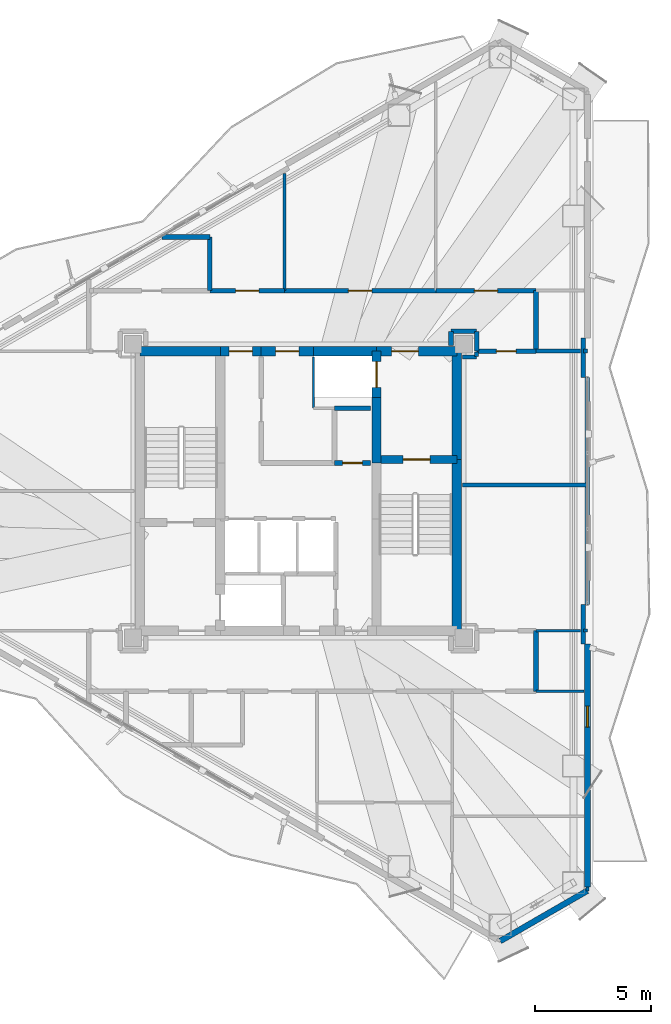
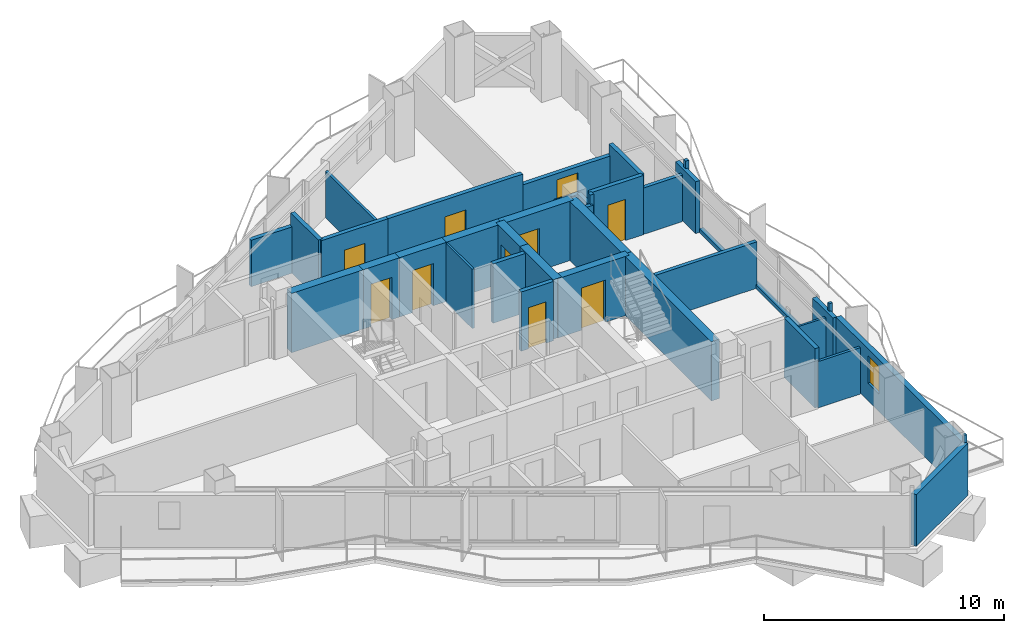
# One storey, part 19 of 22: 39 walls, 10 doors, 1 window, 11 openings.
"""IFC4 building model written with IfcOpenShell, lengths in metres."""

from ifc_helpers import new_model, si_unit, direction, frame, frame_2d, origin, place, context, subcontext, project, spatial, rectangle, extrude, material, layer, layer_set, type_object, element, fill, save


model = new_model("IFC4")

# Units and contexts
model_context = context("Model", 3, precision=1e-05, world=origin(), true_north=direction((0.0, 1.0)))
body_context = subcontext(model_context, "Body", "Model", "MODEL_VIEW")
ifc_project = project(units=[si_unit("LENGTHUNIT", "METRE"), si_unit("AREAUNIT", "SQUARE_METRE"), si_unit("VOLUMEUNIT", "CUBIC_METRE"), si_unit("PLANEANGLEUNIT", "RADIAN"), si_unit("MASSUNIT", "GRAM", prefix="KILO")], contexts=[model_context])

# Site, building, storey
site_placement = place(None, origin())
site = spatial("IfcSite", under=ifc_project, at=site_placement, CompositionType="ELEMENT")
building_placement = place(site_placement, origin())
building = spatial("IfcBuilding", under=site, at=building_placement, Name="Mersakhor Tower and Convention Hall", CompositionType="ELEMENT")
storey_placement = place(building_placement, frame((0.0, 0.0, 167.39990234375)))
storey = spatial("IfcBuildingStorey", under=building, at=storey_placement, Name="L46", CompositionType="ELEMENT", Elevation=167.39990234375)

# Wall
ifc_material_1 = material(Name="Precast concrete C40/50", Category="concrete")
ifc_layer_1 = layer(ifc_material_1, 0.25)
ifc_layer_set_1 = layer_set([ifc_layer_1], Name="Precast concrete C40/50")
wall_type_1 = type_object("IfcWallType", Name="WL-EXT-250", PredefinedType="SOLIDWALL", material=ifc_layer_set_1)
wall_1_placement = place(storey_placement, frame((41.40380859375, 9.586181640625, 0.0), z_axis=(0.0, 0.0, 1.0), x_axis=(-0.866047252008, -0.499962155857, 0.0)))
element("IfcWall", 1, at=wall_1_placement, inside=storey, type_object=wall_type_1, Name="L46 Chamfer Braced Spandrel Wall C2", PredefinedType="SOLIDWALL", context=body_context, shape_type="SweptSolid", body=[
    extrude(rectangle(XDim=4.320068359375, YDim=0.25, at=frame_2d((2.16015625, 0.0))), origin(), (0.0, 0.0, 1.0), 2.64013671875),
])

# Wall, opening, window
wall_2_placement = place(storey_placement, frame((41.40380859375, 20.1787109375, 0.0), z_axis=(0.0, 0.0, 1.0), x_axis=(0.0, -1.0, 0.0)))
wall_2 = element("IfcWall", 2, at=wall_2_placement, inside=storey, type_object=wall_type_1, Name="L46 Exterior Facade Wall F2-B3", PredefinedType="SOLIDWALL", context=body_context, shape_type="SweptSolid", body=[
    extrude(rectangle(XDim=10.4423828125, YDim=0.25, at=frame_2d((5.22119140625, 0.0))), origin(), (0.0, 0.0, 1.0), 2.64013671875),
])
opening_1_placement = place(wall_2_placement, frame((2.672119140625, 0.0, 0.89990234375)))
opening_1 = element("IfcOpeningElement", 3, at=opening_1_placement, cuts=wall_2, Name="Opening W-06", PredefinedType="OPENING", context=body_context, shape_type="SweptSolid", body=[
    extrude(rectangle(XDim=0.89990234375, YDim=1.39990234375, at=frame_2d((0.449951171875, 0.699951171875))), frame((0.0, 0.135009765625, 0.0), z_axis=(0.0, -1.0, 0.0), x_axis=(1.0, 0.0, 0.0)), (0.0, 0.0, 1.0), 0.27001953125),
])
ifc_material_2 = material(Name="Dark solar low-E glazed aluminium window", Category="aluminium")
window_type = type_object("IfcWindowType", Name="WN-STD-090x140", PartitioningType="SINGLE_PANEL", PredefinedType="WINDOW", material=ifc_material_2)
window_placement = place(opening_1_placement, origin())
window = element("IfcWindow", 4, at=window_placement, inside=storey, type_object=window_type, Name="L46 Facade Punched Window F2-B3", OverallHeight=1.39990234375, OverallWidth=0.89990234375, PartitioningType="SINGLE_PANEL", PredefinedType="WINDOW", context=body_context, shape_type="SweptSolid", body=[
    extrude(rectangle(XDim=0.89990234375, YDim=1.39990234375, at=frame_2d((0.449951171875, 0.699951171875))), frame((0.0, 0.030029296875, 0.0), z_axis=(0.0, -1.0, 0.0), x_axis=(1.0, 0.0, 0.0)), (0.0, 0.0, 1.0), 0.06005859375),
])
fill(opening_1, window)

# Walls
ifc_material_3 = material(Name="Precast concrete C40/50", Category="concrete")
ifc_layer_2 = layer(ifc_material_3, 0.199951171875)
ifc_layer_set_2 = layer_set([ifc_layer_2], Name="Precast concrete C40/50")
wall_type_2 = type_object("IfcWallType", Name="WL-PAR-200", PredefinedType="PARAPET", material=ifc_layer_set_2)
wall_3_placement = place(storey_placement, frame((41.40380859375, 31.62109375, 0.0), z_axis=(0.0, 0.0, 1.0), x_axis=(0.0, -1.0, 0.0)))
element("IfcWall", 5, at=wall_3_placement, inside=storey, type_object=wall_type_2, Name="L46 Curtain Wall Upstand Sill F2-B2", PredefinedType="PARAPET", context=body_context, shape_type="SweptSolid", body=[
    extrude(rectangle(XDim=9.7421875, YDim=0.199951171875, at=frame_2d((4.87109375, 0.0))), origin(), (0.0, 0.0, 1.0), 0.2001953125),
])
for number, where, z_axis, x_axis, name in (
    (6, (41.223876953125, 33.3212890625, 0.0), (0.0, 0.0, 1.0), (0.0, -1.0, 0.0), "L46 Column Pier Cladding Wall F2-C1"),
    (7, (41.223876953125, 21.87890625, 0.0), (0.0, 0.0, 1.0), (0.0, -1.0, 0.0), "L46 Column Pier Cladding Wall F2-C2"),
):
    element("IfcWall", number, at=place(storey_placement, frame(where, z_axis=z_axis, x_axis=x_axis)), inside=storey, type_object=wall_type_2, Name=name, PredefinedType="PARAPET", context=body_context, shape_type="SweptSolid", body=[
        extrude(rectangle(XDim=1.7001953125, YDim=0.199951171875, at=frame_2d((0.85009765625, 0.0))), origin(), (0.0, 0.0, 1.0), 2.64013671875),
    ])
ifc_material_4 = material(Name="Moisture-resistant acoustic drywall studwork", Category="other")
ifc_layer_3 = layer(ifc_material_4, 0.175048828125)
ifc_layer_set_3 = layer_set([ifc_layer_3], Name="Moisture-resistant acoustic drywall studwork")
wall_type_3 = type_object("IfcWallType", Name="WL-PLM-175", PredefinedType="PLUMBINGWALL", material=ifc_layer_set_3)
wall_4_placement = place(storey_placement, frame((36.050048828125, 32.5, 0.0), z_axis=(0.0, 0.0, 1.0), x_axis=(1.0, 0.0, 0.0)))
element("IfcWall", 8, at=wall_4_placement, inside=storey, type_object=wall_type_3, Name="L46 Interior Partition Wall P-047", PredefinedType="PLUMBINGWALL", context=body_context, shape_type="SweptSolid", body=[
    extrude(rectangle(XDim=0.599853515625, YDim=0.175048828125, at=frame_2d((0.2998046875, 0.0))), origin(), (0.0, 0.0, 1.0), 2.545166015625),
])
wall_5_placement = place(storey_placement, frame((36.64990234375, 32.514892578125, 0.0), z_axis=(0.0, 0.0, 1.0), x_axis=(0.0, 1.0, 0.0)))
element("IfcWall", 9, at=wall_5_placement, inside=storey, type_object=wall_type_3, Name="L46 Interior Partition Wall P-048", PredefinedType="PLUMBINGWALL", context=body_context, shape_type="SweptSolid", body=[
    extrude(rectangle(XDim=0.205078125, YDim=0.175048828125, at=frame_2d((0.1025390625, 0.0))), origin(), (0.0, 0.0, 1.0), 3.02001953125),
])
wall_6_placement = place(storey_placement, frame((39.199951171875, 32.75, 0.0), z_axis=(0.0, 0.0, 1.0), x_axis=(1.0, 0.0, 0.0)))
element("IfcWall", 10, at=wall_6_placement, inside=storey, type_object=wall_type_3, Name="L46 Interior Partition Wall P-049", PredefinedType="PLUMBINGWALL", context=body_context, shape_type="SweptSolid", body=[
    extrude(rectangle(XDim=1.89990234375, YDim=0.175048828125, at=frame_2d((0.949951171875, 0.0))), origin(), (0.0, 0.0, 1.0), 2.364990234375),
])
wall_7_placement = place(storey_placement, frame((41.243896484375, 32.75, 0.0), z_axis=(0.0, 0.0, 1.0), x_axis=(1.0, 0.0, 0.0)))
element("IfcWall", 11, at=wall_7_placement, inside=storey, type_object=wall_type_3, Name="L46 Interior Partition Wall P-050", PredefinedType="PLUMBINGWALL", context=body_context, shape_type="SweptSolid", body=[
    extrude(rectangle(XDim=0.16015625, YDim=0.175048828125, at=frame_2d((0.080078125, 0.0))), origin(), (0.0, 0.0, 1.0), 3.02001953125),
])
wall_8_placement = place(storey_placement, frame((41.36572265625, 27.0, 0.0), z_axis=(0.0, 0.0, 1.0), x_axis=(-1.0, 0.0, 0.0)))
element("IfcWall", 12, at=wall_8_placement, inside=storey, type_object=wall_type_3, Name="L46 Interior Partition Wall P-051", PredefinedType="PLUMBINGWALL", context=body_context, shape_type="SweptSolid", body=[
    extrude(rectangle(XDim=5.315673828125, YDim=0.175048828125, at=frame_2d((2.65771484375, 0.0))), origin(), (0.0, 0.0, 1.0), 2.364990234375),
])
ifc_material_5 = material(Name="Lightweight gypsum partition", Category="other")
ifc_layer_4 = layer(ifc_material_5, 0.10009765625)
ifc_layer_set_4 = layer_set([ifc_layer_4], Name="Lightweight gypsum partition")
wall_type_4 = type_object("IfcWallType", Name="WL-PRT-100", PredefinedType="PARTITIONING", material=ifc_layer_set_4)
wall_9_placement = place(storey_placement, frame((29.64990234375, 30.300048828125, 0.0), z_axis=(0.0, 0.0, 1.0), x_axis=(0.0, 1.0, 0.0)))
element("IfcWall", 13, at=wall_9_placement, inside=storey, type_object=wall_type_4, Name="L46 Interior Partition Wall P-006", PredefinedType="PARTITIONING", context=body_context, shape_type="SweptSolid", body=[
    extrude(rectangle(XDim=2.199951171875, YDim=0.10009765625, at=frame_2d((1.10009765625, 0.0))), origin(), (0.0, 0.0, 1.0), 3.02001953125),
])
wall_10_placement = place(storey_placement, frame((41.099853515625, 20.75, 0.0), z_axis=(0.0, 0.0, 1.0), x_axis=(-1.0, 0.0, 0.0)))
element("IfcWall", 14, at=wall_10_placement, inside=storey, type_object=wall_type_4, Name="L46 Interior Partition Wall P-074", PredefinedType="PARTITIONING", context=body_context, shape_type="SweptSolid", body=[
    extrude(rectangle(XDim=1.89990234375, YDim=0.10009765625, at=frame_2d((0.949951171875, 0.0))), origin(), (0.0, 0.0, 1.0), 2.364990234375),
])
ifc_material_6 = material(Name="Gypsum board acoustic partition", Category="other")
ifc_layer_5 = layer(ifc_material_6, 0.125)
ifc_layer_set_5 = layer_set([ifc_layer_5], Name="Gypsum board acoustic partition")
wall_type_5 = type_object("IfcWallType", Name="WL-PRT-125", PredefinedType="PARTITIONING", material=ifc_layer_set_5)
wall_11_placement = place(storey_placement, frame((41.404052734375, 9.736328125, 0.0), z_axis=(0.0, 0.0, 1.0), x_axis=(0.0, -1.0, 0.0)))
element("IfcWall", 15, at=wall_11_placement, inside=storey, type_object=wall_type_5, Name="L46 Interior Partition Wall P-063", PredefinedType="PARTITIONING", context=body_context, shape_type="SweptSolid", body=[
    extrude(rectangle(XDim=0.150390625, YDim=0.125, at=frame_2d((0.0751953125, 0.0))), origin(), (0.0, 0.0, 1.0), 3.02001953125),
])
wall_12_placement = place(storey_placement, frame((39.199951171875, 18.14990234375, 0.0), z_axis=(0.0, 0.0, 1.0), x_axis=(1.0, 0.0, 0.0)))
element("IfcWall", 16, at=wall_12_placement, inside=storey, type_object=wall_type_5, Name="L46 Interior Partition Wall P-065", PredefinedType="PARTITIONING", context=body_context, shape_type="SweptSolid", body=[
    extrude(rectangle(XDim=2.054931640625, YDim=0.125, at=frame_2d((1.02734375, 0.0))), origin(), (0.0, 0.0, 1.0), 2.364990234375),
])
wall_13_placement = place(storey_placement, frame((41.404052734375, 20.75, 0.0), z_axis=(0.0, 0.0, 1.0), x_axis=(-1.0, 0.0, 0.0)))
element("IfcWall", 17, at=wall_13_placement, inside=storey, type_object=wall_type_5, Name="L46 Interior Partition Wall P-073", PredefinedType="PARTITIONING", context=body_context, shape_type="SweptSolid", body=[
    extrude(rectangle(XDim=0.16015625, YDim=0.125, at=frame_2d((0.080078125, 0.0))), origin(), (0.0, 0.0, 1.0), 3.02001953125),
])
wall_14_placement = place(storey_placement, frame((28.39990234375, 40.375244140625, 0.0), z_axis=(0.0, 0.0, 1.0), x_axis=(0.0, -1.0, 0.0)))
element("IfcWall", 18, at=wall_14_placement, inside=storey, type_object=wall_type_5, Name="L46 Interior Partition Wall P-079", PredefinedType="PARTITIONING", context=body_context, shape_type="SweptSolid", body=[
    extrude(rectangle(XDim=5.025146484375, YDim=0.125, at=frame_2d((2.5126953125, 0.0))), origin(), (0.0, 0.0, 1.0), 2.364990234375),
])
ifc_material_7 = material(Name="Acoustic concrete blockwork and gypsum board", Category="masonry")
ifc_layer_6 = layer(ifc_material_7, 0.199951171875)
ifc_layer_set_6 = layer_set([ifc_layer_6], Name="Acoustic concrete blockwork and gypsum board")
wall_type_6 = type_object("IfcWallType", Name="WL-PRT-200", PredefinedType="PARTITIONING", material=ifc_layer_set_6)
wall_15_placement = place(storey_placement, frame((32.10009765625, 30.300048828125, 0.0), z_axis=(0.0, 0.0, 1.0), x_axis=(-1.0, 0.0, 0.0)))
element("IfcWall", 19, at=wall_15_placement, inside=storey, type_object=wall_type_6, Name="L46 Interior Partition Wall P-004", PredefinedType="PARTITIONING", context=body_context, shape_type="SweptSolid", body=[
    extrude(rectangle(XDim=1.550048828125, YDim=0.199951171875, at=frame_2d((0.77490234375, 0.0))), origin(), (0.0, 0.0, 1.0), 3.02001953125),
])

# Wall, opening, door
wall_16_placement = place(storey_placement, frame((30.550048828125, 27.949951171875, 0.0), z_axis=(0.0, 0.0, 1.0), x_axis=(1.0, 0.0, 0.0)))
wall_16 = element("IfcWall", 20, at=wall_16_placement, inside=storey, type_object=wall_type_6, Name="L46 Interior Partition Wall P-015", PredefinedType="PARTITIONING", context=body_context, shape_type="SweptSolid", body=[
    extrude(rectangle(XDim=1.550048828125, YDim=0.199951171875, at=frame_2d((0.77490234375, 0.0))), origin(), (0.0, 0.0, 1.0), 3.02001953125),
])
opening_2_placement = place(wall_16_placement, frame((0.35009765625, 0.0, 0.0)))
opening_2 = element("IfcOpeningElement", 21, at=opening_2_placement, cuts=wall_16, Name="Opening SVD-01", PredefinedType="OPENING", context=body_context, shape_type="SweptSolid", body=[
    extrude(rectangle(XDim=0.85009765625, YDim=2.10009765625, at=frame_2d((0.425048828125, 1.050048828125))), frame((0.0, 0.10986328125, 0.0), z_axis=(0.0, -1.0, 0.0), x_axis=(1.0, 0.0, 0.0)), (0.0, 0.0, 1.0), 0.219970703125),
])
ifc_material_8 = material(Name="Fire-rated hardwood leaf and painted steel frame", Category="steel")
door_type_1 = type_object("IfcDoorType", Name="DR-INT-SVC-085x210", OperationType="NOTDEFINED", PredefinedType="DOOR", material=ifc_material_8)
door_1_placement = place(opening_2_placement, origin())
door_1 = element("IfcDoor", 22, at=door_1_placement, inside=storey, type_object=door_type_1, Name="L46 Central Passenger Lift Lobby to Housekeeping Linen Store Room Door", OperationType="SINGLE_SWING_LEFT", OverallHeight=2.10009765625, OverallWidth=0.85009765625, PredefinedType="DOOR", context=body_context, shape_type="SweptSolid", body=[
    extrude(rectangle(XDim=0.85009765625, YDim=2.10009765625, at=frame_2d((0.425048828125, 1.050048828125))), frame((0.0, 0.02490234375, 0.0), z_axis=(0.0, -1.0, 0.0), x_axis=(1.0, 0.0, 0.0)), (0.0, 0.0, 1.0), 0.050048828125),
])
fill(opening_2, door_1)

# Wall
wall_17_placement = place(storey_placement, frame((35.550048828125, 33.60009765625, 0.0), z_axis=(0.0, 0.0, 1.0), x_axis=(0.0, -1.0, 0.0)))
element("IfcWall", 23, at=wall_17_placement, inside=storey, type_object=wall_type_6, Name="L46 Interior Partition Wall P-016", PredefinedType="PARTITIONING", context=body_context, shape_type="SweptSolid", body=[
    extrude(rectangle(XDim=0.60009765625, YDim=0.199951171875, at=frame_2d((0.300048828125, 0.0))), origin(), (0.0, 0.0, 1.0), 2.545166015625),
])

# Wall, opening, door
wall_18_placement = place(storey_placement, frame((25.199951171875, 35.35009765625, 0.0), z_axis=(0.0, 0.0, 1.0), x_axis=(1.0, 0.0, 0.0)))
wall_18 = element("IfcWall", 24, at=wall_18_placement, inside=storey, type_object=wall_type_6, Name="L46 Interior Partition Wall P-024", PredefinedType="PARTITIONING", context=body_context, shape_type="SweptSolid", body=[
    extrude(rectangle(XDim=3.199951171875, YDim=0.199951171875, at=frame_2d((1.60009765625, 0.0))), origin(), (0.0, 0.0, 1.0), 3.02001953125),
])
opening_3_placement = place(wall_18_placement, frame((1.10009765625, 0.0, 0.0)))
opening_3 = element("IfcOpeningElement", 25, at=opening_3_placement, cuts=wall_18, Name="Opening FD-01", PredefinedType="OPENING", context=body_context, shape_type="SweptSolid", body=[
    extrude(rectangle(XDim=1.0, YDim=2.14990234375, at=frame_2d((0.5, 1.074951171875))), frame((0.0, 0.10986328125, 0.0), z_axis=(0.0, -1.0, 0.0), x_axis=(1.0, 0.0, 0.0)), (0.0, 0.0, 1.0), 0.219970703125),
])
ifc_material_9 = material(Name="Fire-rated hardwood leaf and painted steel frame", Category="steel")
door_type_2 = type_object("IfcDoorType", Name="DR-INT-FLT-100x215", OperationType="NOTDEFINED", PredefinedType="DOOR", material=ifc_material_9)
door_2_placement = place(opening_3_placement, origin())
door_2 = element("IfcDoor", 26, at=door_2_placement, inside=storey, type_object=door_type_2, Name="L46 Residential North Gallery Corridor to L46 Floor Shared Tea Pantry 1-2 Door", OperationType="SINGLE_SWING_LEFT", OverallHeight=2.14990234375, OverallWidth=1.0, PredefinedType="DOOR", context=body_context, shape_type="SweptSolid", body=[
    extrude(rectangle(XDim=1.0, YDim=2.14990234375, at=frame_2d((0.5, 1.074951171875))), frame((0.0, 0.02490234375, 0.0), z_axis=(0.0, -1.0, 0.0), x_axis=(1.0, 0.0, 0.0)), (0.0, 0.0, 1.0), 0.050048828125),
])
fill(opening_3, door_2)

wall_19_placement = place(storey_placement, frame((28.39990234375, 35.35009765625, 0.0), z_axis=(0.0, 0.0, 1.0), x_axis=(1.0, 0.0, 0.0)))
wall_19 = element("IfcWall", 27, at=wall_19_placement, inside=storey, type_object=wall_type_6, Name="L46 Interior Partition Wall P-025", PredefinedType="PARTITIONING", context=body_context, shape_type="SweptSolid", body=[
    extrude(rectangle(XDim=6.5, YDim=0.199951171875, at=frame_2d((3.25, 0.0))), origin(), (0.0, 0.0, 1.0), 3.02001953125),
])
opening_4_placement = place(wall_19_placement, frame((2.75, 0.0, 0.0)))
opening_4 = element("IfcOpeningElement", 28, at=opening_4_placement, cuts=wall_19, Name="Opening FD-01", PredefinedType="OPENING", context=body_context, shape_type="SweptSolid", body=[
    extrude(rectangle(XDim=1.0, YDim=2.14990234375, at=frame_2d((0.5, 1.074951171875))), frame((0.0, 0.10986328125, 0.0), z_axis=(0.0, -1.0, 0.0), x_axis=(1.0, 0.0, 0.0)), (0.0, 0.0, 1.0), 0.219970703125),
])
door_3_placement = place(opening_4_placement, origin())
door_3 = element("IfcDoor", 29, at=door_3_placement, inside=storey, type_object=door_type_2, Name="L46 Residential North Gallery Corridor to L46 Floor Residents Study Room 1-3 Door", OperationType="SINGLE_SWING_RIGHT", OverallHeight=2.14990234375, OverallWidth=1.0, PredefinedType="DOOR", context=body_context, shape_type="SweptSolid", body=[
    extrude(rectangle(XDim=1.0, YDim=2.14990234375, at=frame_2d((0.5, 1.074951171875))), frame((0.0, 0.02490234375, 0.0), z_axis=(0.0, -1.0, 0.0), x_axis=(1.0, 0.0, 0.0)), (0.0, 0.0, 1.0), 0.050048828125),
])
fill(opening_4, door_3)

wall_20_placement = place(storey_placement, frame((34.89990234375, 35.35009765625, 0.0), z_axis=(0.0, 0.0, 1.0), x_axis=(1.0, 0.0, 0.0)))
wall_20 = element("IfcWall", 30, at=wall_20_placement, inside=storey, type_object=wall_type_6, Name="L46 Interior Partition Wall P-026", PredefinedType="PARTITIONING", context=body_context, shape_type="SweptSolid", body=[
    extrude(rectangle(XDim=4.300048828125, YDim=0.199951171875, at=frame_2d((2.14990234375, 0.0))), origin(), (0.0, 0.0, 1.0), 2.468505859375),
])
opening_5_placement = place(wall_20_placement, frame((1.64990234375, 0.0, 0.0)))
opening_5 = element("IfcOpeningElement", 31, at=opening_5_placement, cuts=wall_20, Name="Opening FD-01", PredefinedType="OPENING", context=body_context, shape_type="SweptSolid", body=[
    extrude(rectangle(XDim=1.0, YDim=2.14990234375, at=frame_2d((0.5, 1.074951171875))), frame((0.0, 0.10986328125, 0.0), z_axis=(0.0, -1.0, 0.0), x_axis=(1.0, 0.0, 0.0)), (0.0, 0.0, 1.0), 0.219970703125),
])
door_4_placement = place(opening_5_placement, origin())
door_4 = element("IfcDoor", 32, at=door_4_placement, inside=storey, type_object=door_type_2, Name="L46 Residential North Gallery Corridor to L46 Floor Residents Study Room 1-4 Door", OperationType="SINGLE_SWING_LEFT", OverallHeight=2.14990234375, OverallWidth=1.0, PredefinedType="DOOR", context=body_context, shape_type="SweptSolid", body=[
    extrude(rectangle(XDim=1.0, YDim=2.14990234375, at=frame_2d((0.5, 1.074951171875))), frame((0.0, 0.02490234375, 0.0), z_axis=(0.0, -1.0, 0.0), x_axis=(1.0, 0.0, 0.0)), (0.0, 0.0, 1.0), 0.050048828125),
])
fill(opening_5, door_4)

# Wall
wall_21_placement = place(storey_placement, frame((39.199951171875, 35.35009765625, 0.0), z_axis=(0.0, 0.0, 1.0), x_axis=(0.0, -1.0, 0.0)))
element("IfcWall", 33, at=wall_21_placement, inside=storey, type_object=wall_type_6, Name="L46 Interior Partition Wall P-027", PredefinedType="PARTITIONING", context=body_context, shape_type="SweptSolid", body=[
    extrude(rectangle(XDim=2.60009765625, YDim=0.199951171875, at=frame_2d((1.300048828125, 0.0))), origin(), (0.0, 0.0, 1.0), 3.02001953125),
])

# Wall, opening, door
wall_22_placement = place(storey_placement, frame((39.199951171875, 32.75, 0.0), z_axis=(0.0, 0.0, 1.0), x_axis=(-1.0, 0.0, 0.0)))
wall_22 = element("IfcWall", 34, at=wall_22_placement, inside=storey, type_object=wall_type_6, Name="L46 Interior Partition Wall P-028", PredefinedType="PARTITIONING", context=body_context, shape_type="SweptSolid", body=[
    extrude(rectangle(XDim=2.550048828125, YDim=0.199951171875, at=frame_2d((1.27490234375, 0.0))), origin(), (0.0, 0.0, 1.0), 3.02001953125),
])
opening_6_placement = place(wall_22_placement, frame((0.85009765625, 0.0, 0.0)))
opening_6 = element("IfcOpeningElement", 35, at=opening_6_placement, cuts=wall_22, Name="Opening SVD-01", PredefinedType="OPENING", context=body_context, shape_type="SweptSolid", body=[
    extrude(rectangle(XDim=0.85009765625, YDim=2.10009765625, at=frame_2d((0.425048828125, 1.050048828125))), frame((0.0, 0.10986328125, 0.0), z_axis=(0.0, -1.0, 0.0), x_axis=(1.0, 0.0, 0.0)), (0.0, 0.0, 1.0), 0.219970703125),
])
door_5_placement = place(opening_6_placement, origin())
door_5 = element("IfcDoor", 36, at=door_5_placement, inside=storey, type_object=door_type_1, Name="L46 Residential North Gallery Corridor to L46 East Wing Public Restroom WC Door", OperationType="SINGLE_SWING_LEFT", OverallHeight=2.10009765625, OverallWidth=0.85009765625, PredefinedType="DOOR", context=body_context, shape_type="SweptSolid", body=[
    extrude(rectangle(XDim=0.85009765625, YDim=2.10009765625, at=frame_2d((0.425048828125, 1.050048828125))), frame((0.0, 0.02490234375, 0.0), z_axis=(0.0, -1.0, 0.0), x_axis=(1.0, 0.0, 0.0)), (0.0, 0.0, 1.0), 0.050048828125),
])
fill(opening_6, door_5)

# Walls
wall_23_placement = place(storey_placement, frame((36.64990234375, 32.75, 0.0), z_axis=(0.0, 0.0, 1.0), x_axis=(0.0, 1.0, 0.0)))
element("IfcWall", 37, at=wall_23_placement, inside=storey, type_object=wall_type_6, Name="L46 Interior Partition Wall P-029", PredefinedType="PARTITIONING", context=body_context, shape_type="SweptSolid", body=[
    extrude(rectangle(XDim=0.85009765625, YDim=0.199951171875, at=frame_2d((0.425048828125, 0.0))), origin(), (0.0, 0.0, 1.0), 2.468505859375),
])
wall_24_placement = place(storey_placement, frame((36.64990234375, 33.60009765625, 0.0), z_axis=(0.0, 0.0, 1.0), x_axis=(-1.0, 0.0, 0.0)))
element("IfcWall", 38, at=wall_24_placement, inside=storey, type_object=wall_type_6, Name="L46 Interior Partition Wall P-030", PredefinedType="PARTITIONING", context=body_context, shape_type="SweptSolid", body=[
    extrude(rectangle(XDim=1.099853515625, YDim=0.199951171875, at=frame_2d((0.5498046875, 0.0))), origin(), (0.0, 0.0, 1.0), 2.468505859375),
])
wall_25_placement = place(storey_placement, frame((39.199951171875, 20.75, 0.0), z_axis=(0.0, 0.0, 1.0), x_axis=(0.0, -1.0, 0.0)))
element("IfcWall", 39, at=wall_25_placement, inside=storey, type_object=wall_type_6, Name="L46 Interior Partition Wall P-036", PredefinedType="PARTITIONING", context=body_context, shape_type="SweptSolid", body=[
    extrude(rectangle(XDim=2.60009765625, YDim=0.199951171875, at=frame_2d((1.300048828125, 0.0))), origin(), (0.0, 0.0, 1.0), 3.02001953125),
])
wall_26_placement = place(storey_placement, frame((23.140869140625, 37.64990234375, 0.0), z_axis=(0.0, 0.0, 1.0), x_axis=(1.0, 0.0, 0.0)))
element("IfcWall", 40, at=wall_26_placement, inside=storey, type_object=wall_type_6, Name="L46 Interior Partition Wall P-077", PredefinedType="PARTITIONING", context=body_context, shape_type="SweptSolid", body=[
    extrude(rectangle(XDim=2.05908203125, YDim=0.199951171875, at=frame_2d((1.029541015625, 0.0))), origin(), (0.0, 0.0, 1.0), 2.364990234375),
])
wall_27_placement = place(storey_placement, frame((25.199951171875, 37.64990234375, 0.0), z_axis=(0.0, 0.0, 1.0), x_axis=(0.0, -1.0, 0.0)))
element("IfcWall", 41, at=wall_27_placement, inside=storey, type_object=wall_type_6, Name="L46 Interior Partition Wall P-078", PredefinedType="PARTITIONING", context=body_context, shape_type="SweptSolid", body=[
    extrude(rectangle(XDim=2.2998046875, YDim=0.199951171875, at=frame_2d((1.14990234375, 0.0))), origin(), (0.0, 0.0, 1.0), 3.02001953125),
])

# Wall, opening, door
ifc_material_10 = material(Name="Concrete C50/60", Category="concrete")
ifc_layer_7 = layer(ifc_material_10, 0.35009765625)
ifc_layer_set_7 = layer_set([ifc_layer_7], Name="Concrete C50/60")
wall_type_7 = type_object("IfcWallType", Name="WL-SHR-350", PredefinedType="SHEAR", material=ifc_layer_set_7)
wall_28_placement = place(storey_placement, frame((32.35009765625, 28.10009765625, 0.0), z_axis=(0.0, 0.0, 1.0), x_axis=(1.0, 0.0, 0.0)))
wall_28 = element("IfcWall", 42, at=wall_28_placement, inside=storey, type_object=wall_type_7, Name="L46 Core Wall CS-ST2-N", PredefinedType="SHEAR", context=body_context, shape_type="SweptSolid", body=[
    extrude(rectangle(XDim=3.449951171875, YDim=0.35009765625, at=frame_2d((1.72509765625, 0.0))), origin(), (0.0, 0.0, 1.0), 3.02001953125),
])
opening_7_placement = place(wall_28_placement, frame((1.14990234375, 0.0, 0.0)))
opening_7 = element("IfcOpeningElement", 43, at=opening_7_placement, cuts=wall_28, Name="Opening SD-01", PredefinedType="OPENING", context=body_context, shape_type="SweptSolid", body=[
    extrude(rectangle(XDim=1.14990234375, YDim=2.14990234375, at=frame_2d((0.574951171875, 1.074951171875))), frame((0.0, 0.18505859375, 0.0), z_axis=(0.0, -1.0, 0.0), x_axis=(1.0, 0.0, 0.0)), (0.0, 0.0, 1.0), 0.3701171875),
])
ifc_material_11 = material(Name="Fire-rated hardwood leaf and painted steel frame", Category="steel")
door_type_3 = type_object("IfcDoorType", Name="DR-INT-STAIR-115x215", OperationType="NOTDEFINED", PredefinedType="DOOR", material=ifc_material_11)
door_6_placement = place(opening_7_placement, origin())
door_6 = element("IfcDoor", 44, at=door_6_placement, inside=storey, type_object=door_type_3, Name="L46 Exit Stair ST-2 Enclosure Door", OperationType="SINGLE_SWING_RIGHT", OverallHeight=2.14990234375, OverallWidth=1.14990234375, PredefinedType="DOOR", context=body_context, shape_type="SweptSolid", body=[
    extrude(rectangle(XDim=1.14990234375, YDim=2.14990234375, at=frame_2d((0.574951171875, 1.074951171875))), frame((0.0, 0.02490234375, 0.0), z_axis=(0.0, -1.0, 0.0), x_axis=(1.0, 0.0, 0.0)), (0.0, 0.0, 1.0), 0.050048828125),
])
fill(opening_7, door_6)

# Wall
ifc_material_12 = material(Name="Concrete C60/75", Category="concrete")
ifc_layer_8 = layer(ifc_material_12, 0.39990234375)
ifc_layer_set_8 = layer_set([ifc_layer_8], Name="Concrete C60/75")
wall_type_8 = type_object("IfcWallType", Name="WL-SHR-400", PredefinedType="SHEAR", material=ifc_layer_set_8)
wall_29_placement = place(storey_placement, frame((22.199951171875, 32.75, 0.0), z_axis=(0.0, 0.0, 1.0), x_axis=(1.0, 0.0, 0.0)))
element("IfcWall", 45, at=wall_29_placement, inside=storey, type_object=wall_type_8, Name="L46 Core Wall CW-N1", PredefinedType="SHEAR", context=body_context, shape_type="SweptSolid", body=[
    extrude(rectangle(XDim=3.449951171875, YDim=0.39990234375, at=frame_2d((1.72509765625, 0.0))), origin(), (0.0, 0.0, 1.0), 3.02001953125),
])

# Wall, opening, door
wall_30_placement = place(storey_placement, frame((25.64990234375, 32.75, 0.0), z_axis=(0.0, 0.0, 1.0), x_axis=(1.0, 0.0, 0.0)))
wall_30 = element("IfcWall", 46, at=wall_30_placement, inside=storey, type_object=wall_type_8, Name="L46 Core Wall CW-N2A", PredefinedType="SHEAR", context=body_context, shape_type="SweptSolid", body=[
    extrude(rectangle(XDim=1.75, YDim=0.39990234375, at=frame_2d((0.875, 0.0))), origin(), (0.0, 0.0, 1.0), 3.02001953125),
])
opening_8_placement = place(wall_30_placement, frame((0.375, 0.0, 0.0)))
opening_8 = element("IfcOpeningElement", 47, at=opening_8_placement, cuts=wall_30, Name="Opening CFD-01", PredefinedType="OPENING", context=body_context, shape_type="SweptSolid", body=[
    extrude(rectangle(XDim=1.0, YDim=2.14990234375, at=frame_2d((0.5, 1.074951171875))), frame((0.0, 0.2099609375, 0.0), z_axis=(0.0, -1.0, 0.0), x_axis=(1.0, 0.0, 0.0)), (0.0, 0.0, 1.0), 0.419921875),
])
ifc_material_13 = material(Name="Fire-rated hardwood leaf and painted steel frame", Category="steel")
door_type_4 = type_object("IfcDoorType", Name="DR-CORE-FD-100x215", OperationType="NOTDEFINED", PredefinedType="DOOR", material=ifc_material_13)
door_7_placement = place(opening_8_placement, origin())
door_7 = element("IfcDoor", 48, at=door_7_placement, inside=storey, type_object=door_type_4, Name="L46 Lift Lobby North Corridor Door", OperationType="SINGLE_SWING_LEFT", OverallHeight=2.14990234375, OverallWidth=1.0, PredefinedType="DOOR", context=body_context, shape_type="SweptSolid", body=[
    extrude(rectangle(XDim=1.0, YDim=2.14990234375, at=frame_2d((0.5, 1.074951171875))), frame((0.0, 0.02490234375, 0.0), z_axis=(0.0, -1.0, 0.0), x_axis=(1.0, 0.0, 0.0)), (0.0, 0.0, 1.0), 0.050048828125),
])
fill(opening_8, door_7)

wall_31_placement = place(storey_placement, frame((27.39990234375, 32.75, 0.0), z_axis=(0.0, 0.0, 1.0), x_axis=(1.0, 0.0, 0.0)))
wall_31 = element("IfcWall", 49, at=wall_31_placement, inside=storey, type_object=wall_type_8, Name="L46 Core Wall CW-N2B", PredefinedType="SHEAR", context=body_context, shape_type="SweptSolid", body=[
    extrude(rectangle(XDim=2.25, YDim=0.39990234375, at=frame_2d((1.125, 0.0))), origin(), (0.0, 0.0, 1.0), 3.02001953125),
])
opening_9_placement = place(wall_31_placement, frame((0.625, 0.0, 0.0)))
opening_9 = element("IfcOpeningElement", 50, at=opening_9_placement, cuts=wall_31, Name="Opening FD-01", PredefinedType="OPENING", context=body_context, shape_type="SweptSolid", body=[
    extrude(rectangle(XDim=1.0, YDim=2.14990234375, at=frame_2d((0.5, 1.074951171875))), frame((0.0, 0.2099609375, 0.0), z_axis=(0.0, -1.0, 0.0), x_axis=(1.0, 0.0, 0.0)), (0.0, 0.0, 1.0), 0.419921875),
])
door_8_placement = place(opening_9_placement, origin())
door_8 = element("IfcDoor", 51, at=door_8_placement, inside=storey, type_object=door_type_2, Name="L46 Residential North Gallery Corridor to Quiet Core Study Room Door", OperationType="SINGLE_SWING_RIGHT", OverallHeight=2.14990234375, OverallWidth=1.0, PredefinedType="DOOR", context=body_context, shape_type="SweptSolid", body=[
    extrude(rectangle(XDim=1.0, YDim=2.14990234375, at=frame_2d((0.5, 1.074951171875))), frame((0.0, 0.02490234375, 0.0), z_axis=(0.0, -1.0, 0.0), x_axis=(1.0, 0.0, 0.0)), (0.0, 0.0, 1.0), 0.050048828125),
])
fill(opening_9, door_8)

# Wall
wall_32_placement = place(storey_placement, frame((29.64990234375, 32.75, 0.0), z_axis=(0.0, 0.0, 1.0), x_axis=(1.0, 0.0, 0.0)))
element("IfcWall", 52, at=wall_32_placement, inside=storey, type_object=wall_type_8, Name="L46 Core Wall CW-N3", PredefinedType="SHEAR", context=body_context, shape_type="SweptSolid", body=[
    extrude(rectangle(XDim=2.7001953125, YDim=0.39990234375, at=frame_2d((1.35009765625, 0.0))), origin(), (0.0, 0.0, 1.0), 3.02001953125),
])

# Wall, opening, door
wall_33_placement = place(storey_placement, frame((32.35009765625, 32.75, 0.0), z_axis=(0.0, 0.0, 1.0), x_axis=(1.0, 0.0, 0.0)))
wall_33 = element("IfcWall", 53, at=wall_33_placement, inside=storey, type_object=wall_type_8, Name="L46 Core Wall CW-N4", PredefinedType="SHEAR", context=body_context, shape_type="SweptSolid", body=[
    extrude(rectangle(XDim=3.449951171875, YDim=0.39990234375, at=frame_2d((1.72509765625, 0.0))), origin(), (0.0, 0.0, 1.0), 3.02001953125),
])
opening_10_placement = place(wall_33_placement, frame((0.64990234375, 0.0, 0.0)))
opening_10 = element("IfcOpeningElement", 54, at=opening_10_placement, cuts=wall_33, Name="Opening SD-01", PredefinedType="OPENING", context=body_context, shape_type="SweptSolid", body=[
    extrude(rectangle(XDim=1.14990234375, YDim=2.14990234375, at=frame_2d((0.574951171875, 1.074951171875))), frame((0.0, 0.2099609375, 0.0), z_axis=(0.0, -1.0, 0.0), x_axis=(1.0, 0.0, 0.0)), (0.0, 0.0, 1.0), 0.419921875),
])
door_9_placement = place(opening_10_placement, origin())
door_9 = element("IfcDoor", 55, at=door_9_placement, inside=storey, type_object=door_type_3, Name="L46 Firefighting Lobby East Fire Door", OperationType="SINGLE_SWING_RIGHT", OverallHeight=2.14990234375, OverallWidth=1.14990234375, PredefinedType="DOOR", context=body_context, shape_type="SweptSolid", body=[
    extrude(rectangle(XDim=1.14990234375, YDim=2.14990234375, at=frame_2d((0.574951171875, 1.074951171875))), frame((0.0, 0.02490234375, 0.0), z_axis=(0.0, -1.0, 0.0), x_axis=(1.0, 0.0, 0.0)), (0.0, 0.0, 1.0), 0.050048828125),
])
fill(opening_10, door_9)

# Walls
wall_34_placement = place(storey_placement, frame((35.800048828125, 32.75, 0.0), z_axis=(0.0, 0.0, 1.0), x_axis=(0.0, -1.0, 0.0)))
element("IfcWall", 56, at=wall_34_placement, inside=storey, type_object=wall_type_8, Name="L46 Core Wall CW-E1", PredefinedType="SHEAR", context=body_context, shape_type="SweptSolid", body=[
    extrude(rectangle(XDim=4.64990234375, YDim=0.39990234375, at=frame_2d((2.324951171875, 0.0))), origin(), (0.0, 0.0, 1.0), 3.02001953125),
])
wall_35_placement = place(storey_placement, frame((35.800048828125, 28.10009765625, 0.0), z_axis=(0.0, 0.0, 1.0), x_axis=(0.0, -1.0, 0.0)))
element("IfcWall", 57, at=wall_35_placement, inside=storey, type_object=wall_type_8, Name="L46 Core Wall CW-E2", PredefinedType="SHEAR", context=body_context, shape_type="SweptSolid", body=[
    extrude(rectangle(XDim=7.35009765625, YDim=0.39990234375, at=frame_2d((3.675048828125, 0.0))), origin(), (0.0, 0.0, 1.0), 3.02001953125),
])
wall_36_placement = place(storey_placement, frame((32.35009765625, 27.949951171875, 0.0), z_axis=(0.0, 0.0, 1.0), x_axis=(0.0, 1.0, 0.0)))
element("IfcWall", 58, at=wall_36_placement, inside=storey, type_object=wall_type_8, Name="L46 Core Wall CS-E-MID", PredefinedType="SHEAR", context=body_context, shape_type="SweptSolid", body=[
    extrude(rectangle(XDim=2.800048828125, YDim=0.39990234375, at=frame_2d((1.39990234375, 0.0))), origin(), (0.0, 0.0, 1.0), 3.02001953125),
])

# Wall, opening, door
wall_37_placement = place(storey_placement, frame((32.35009765625, 30.75, 0.0), z_axis=(0.0, 0.0, 1.0), x_axis=(0.0, 1.0, 0.0)))
wall_37 = element("IfcWall", 59, at=wall_37_placement, inside=storey, type_object=wall_type_8, Name="L46 Core Wall CS-E-FFL", PredefinedType="SHEAR", context=body_context, shape_type="SweptSolid", body=[
    extrude(rectangle(XDim=2.0, YDim=0.39990234375, at=frame_2d((1.0, 0.0))), origin(), (0.0, 0.0, 1.0), 3.02001953125),
])
opening_11_placement = place(wall_37_placement, frame((0.449951171875, 0.0, 0.0)))
opening_11 = element("IfcOpeningElement", 60, at=opening_11_placement, cuts=wall_37, Name="Opening LD-FFL2", PredefinedType="OPENING", context=body_context, shape_type="SweptSolid", body=[
    extrude(rectangle(XDim=1.10009765625, YDim=2.14990234375, at=frame_2d((0.550048828125, 1.074951171875))), frame((0.0, 0.2099609375, 0.0), z_axis=(0.0, -1.0, 0.0), x_axis=(1.0, 0.0, 0.0)), (0.0, 0.0, 1.0), 0.419921875),
])
ifc_material_14 = material(Name="Fire-rated brushed stainless steel sliding landing door", Category="steel")
door_type_5 = type_object("IfcDoorType", Name="DR-LIFT-SLD-110x215", OperationType="NOTDEFINED", PredefinedType="DOOR", material=ifc_material_14)
door_10_placement = place(opening_11_placement, origin())
door_10 = element("IfcDoor", 61, at=door_10_placement, inside=storey, type_object=door_type_5, Name="L46 Firefighting Lift Landing Door LD-FFL2", OperationType="SLIDING_TO_LEFT", OverallHeight=2.14990234375, OverallWidth=1.10009765625, PredefinedType="DOOR", context=body_context, shape_type="SweptSolid", body=[
    extrude(rectangle(XDim=1.10009765625, YDim=2.14990234375, at=frame_2d((0.550048828125, 1.074951171875))), frame((0.0, 0.02490234375, 0.0), z_axis=(0.0, -1.0, 0.0), x_axis=(1.0, 0.0, 0.0)), (0.0, 0.0, 1.0), 0.050048828125),
])
fill(opening_11, door_10)

save(model, "model.ifc")
